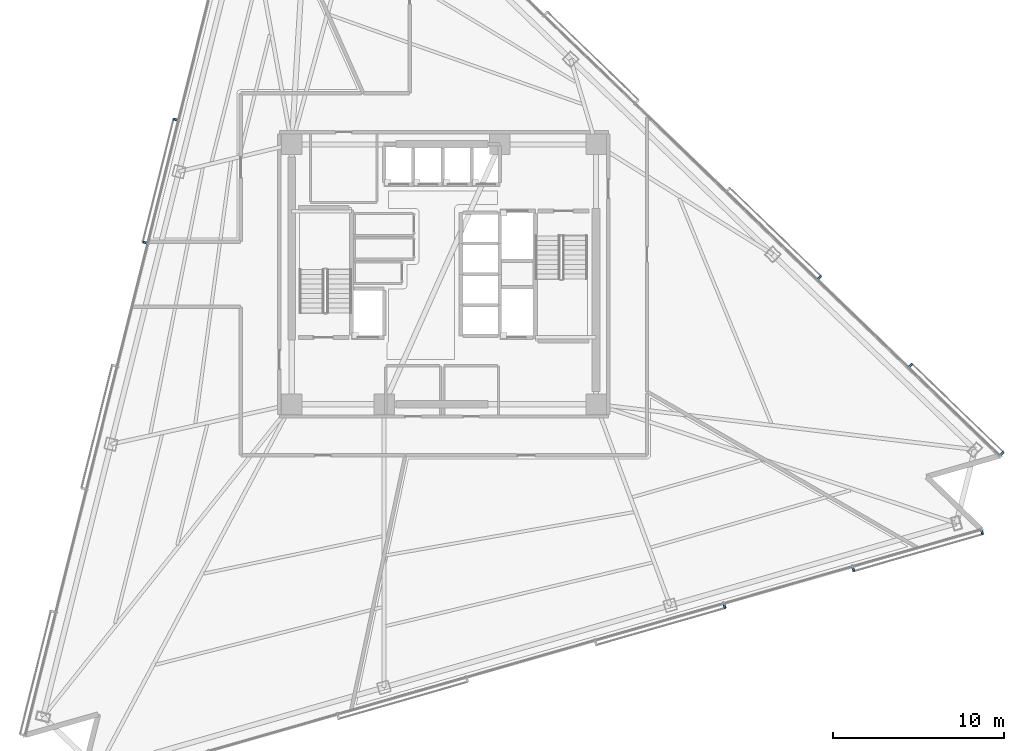
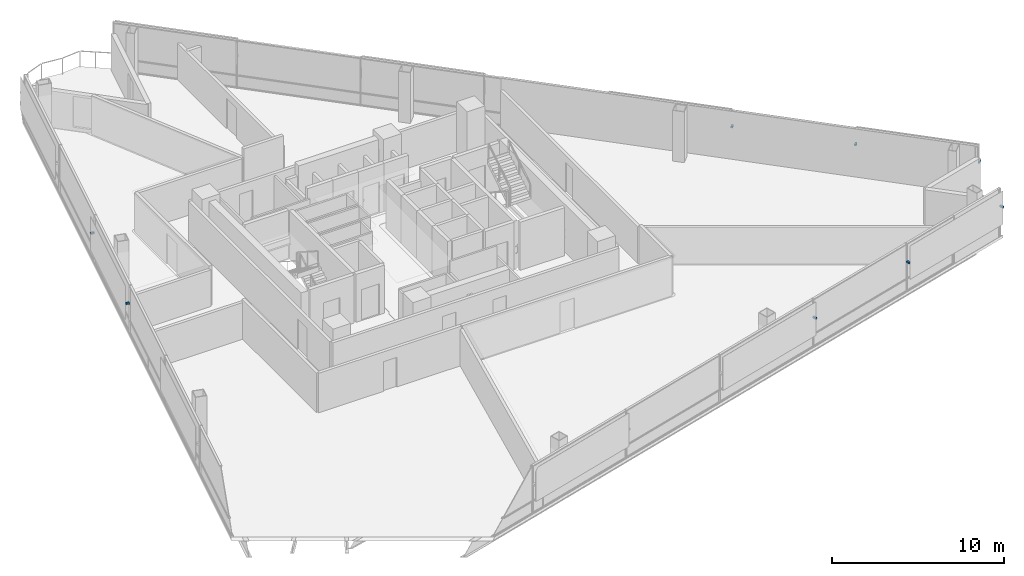
# One storey, part 12 of 16: 8 discrete accessories.
"""IFC4 building model written with IfcOpenShell, lengths in metres."""

from ifc_helpers import new_model, si_unit, direction, frame, origin, origin_2d, place, context, subcontext, project, spatial, rectangle, extrude, material, type_object, element, save


model = new_model("IFC4")

# Units and contexts
model_context = context("Model", 3, precision=1e-05, world=origin(), true_north=direction((0.0, 1.0)))
body_context = subcontext(model_context, "Body", "Model", "MODEL_VIEW")
ifc_project = project(units=[si_unit("LENGTHUNIT", "METRE"), si_unit("AREAUNIT", "SQUARE_METRE"), si_unit("VOLUMEUNIT", "CUBIC_METRE"), si_unit("PLANEANGLEUNIT", "RADIAN"), si_unit("MASSUNIT", "GRAM", prefix="KILO")], contexts=[model_context])

# Site, building, storey
site_placement = place(None, origin())
site = spatial("IfcSite", under=ifc_project, at=site_placement, CompositionType="ELEMENT")
building_placement = place(site_placement, origin())
building = spatial("IfcBuilding", under=site, at=building_placement, Name="Tharavind Bronze Gate", CompositionType="ELEMENT")
storey_placement = place(building_placement, frame((0.0, 0.0, 104.10009765625)))
storey = spatial("IfcBuildingStorey", under=building, at=storey_placement, Name="L26", CompositionType="ELEMENT", Elevation=104.10009765625)

# Discrete accessories
ifc_material = material(Name="Stainless Steel 316", Category="steel")
discrete_accessory_type = type_object("IfcDiscreteAccessoryType", Name="SOLAR SCREEN STANDOFF BRACKET", PredefinedType="BRACKET", material=ifc_material)
for number, where, z_axis, x_axis, name in (
    (1, (-15.69580078125, 9.0498046875, 2.0947265625), (0.0, 0.0, 1.0), (-0.2419218956, -0.970295726276, 0.0), "CW-L26-S1 solar screen bracket 3.1"),
    (2, (-17.4892578125, 1.855712890625, 2.0947265625), (0.0, 0.0, 1.0), (-0.2419218956, -0.970295726276, 0.0), "CW-L26-S1 solar screen bracket 3.2"),
    (3, (16.42138671875, -19.419921875, 2.0947265625), (0.0, 0.0, 1.0), (0.961261695938, 0.275637355817, 0.0), "CW-L26-S2 solar screen bracket 5.2"),
    (4, (23.954833984375, -17.259765625, 2.0947265625), (0.0, 0.0, 1.0), (0.961261695938, 0.275637355817, 0.0), "CW-L26-S2 solar screen bracket 7.1"),
    (5, (31.48828125, -15.099609375, 2.0947265625), (0.0, 0.0, 1.0), (0.961261695938, 0.275637355817, 0.0), "CW-L26-S2 solar screen bracket 7.2"),
    (6, (32.637939453125, -10.489013671875, 2.0947265625), (0.0, 0.0, 1.0), (-0.719341012745, 0.694657114973, 0.0), "CW-L26-S3 solar screen bracket 1.1"),
    (7, (27.3046875, -5.338623046875, 2.0947265625), (0.0, 0.0, 1.0), (-0.719341012745, 0.694657114973, 0.0), "CW-L26-S3 solar screen bracket 1.2"),
    (8, (21.971435546875, -0.188232421875, 2.0947265625), (0.0, 0.0, 1.0), (-0.719341012745, 0.694657114973, 0.0), "CW-L26-S3 solar screen bracket 3.1"),
):
    element("IfcDiscreteAccessory", number, at=place(storey_placement, frame(where, z_axis=z_axis, x_axis=x_axis)), inside=storey, type_object=discrete_accessory_type, Name=name, PredefinedType="BRACKET", context=body_context, shape_type="SweptSolid", body=[
        extrude(rectangle(XDim=0.1201171875, YDim=0.239990234375, at=origin_2d()), origin(), (0.0, 0.0, 1.0), 0.1201171875),
    ])

save(model, "model.ifc")
